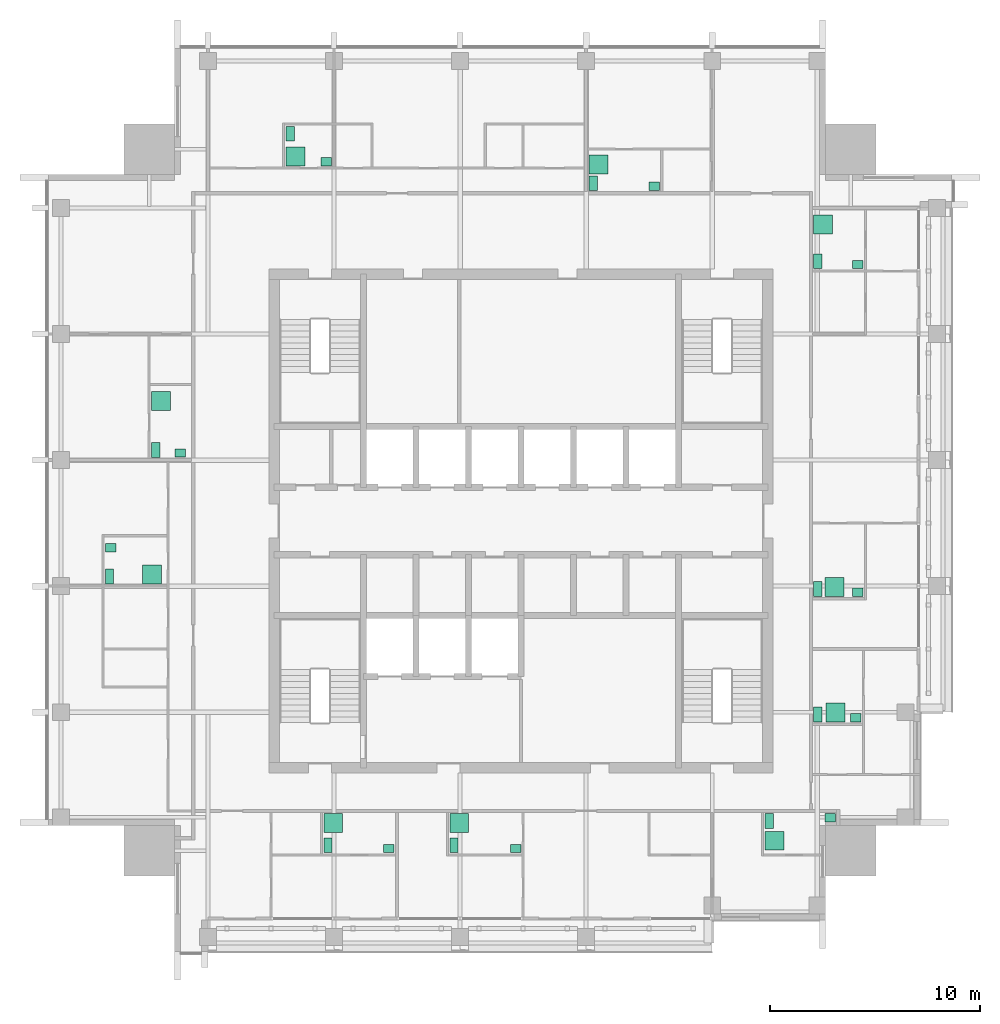
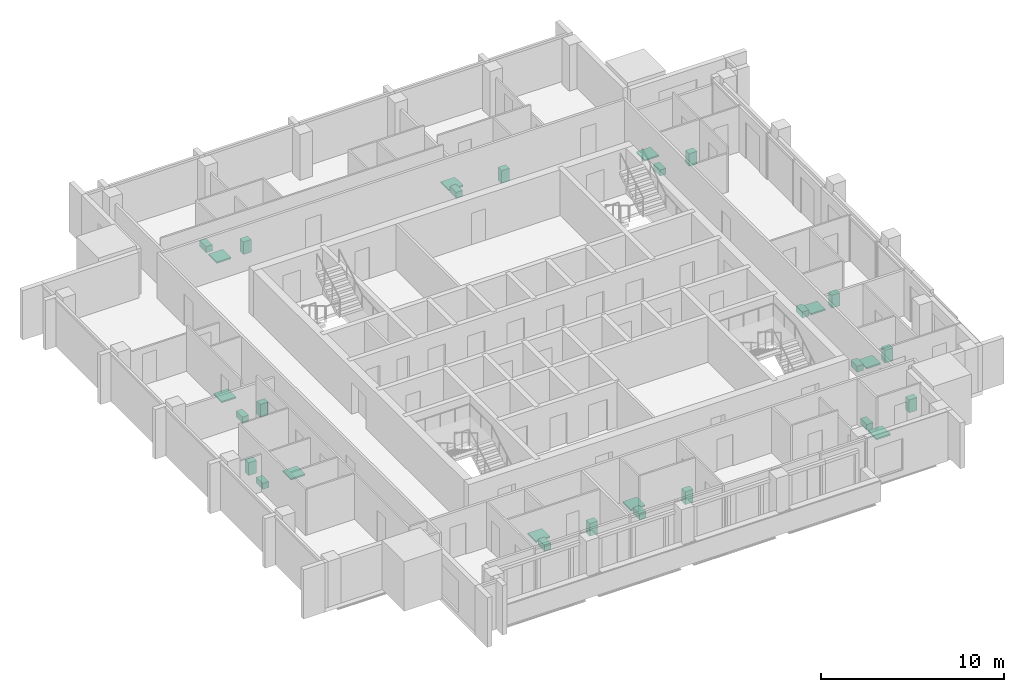
# One storey, part 15 of 15: 30 sanitary terminals.
"""IFC4 building model written with IfcOpenShell, lengths in metres."""

from ifc_helpers import new_model, si_unit, direction, frame, origin, origin_2d, place, context, subcontext, project, spatial, rectangle, extrude, element, save


model = new_model("IFC4")

# Units and contexts
model_context = context("Model", 3, precision=1e-05, world=origin(), true_north=direction((0.0, 1.0)))
body_context = subcontext(model_context, "Body", "Model", "MODEL_VIEW")
ifc_project = project(units=[si_unit("LENGTHUNIT", "METRE"), si_unit("AREAUNIT", "SQUARE_METRE"), si_unit("VOLUMEUNIT", "CUBIC_METRE"), si_unit("PLANEANGLEUNIT", "RADIAN"), si_unit("MASSUNIT", "GRAM", prefix="KILO")], contexts=[model_context])

# Site, building, storey
site_placement = place(None, origin())
site = spatial("IfcSite", under=ifc_project, at=site_placement, CompositionType="ELEMENT")
building_placement = place(site_placement, origin())
building = spatial("IfcBuilding", under=site, at=building_placement, Name="Amberfall Residences", CompositionType="ELEMENT")
storey_placement = place(building_placement, frame((0.0, 0.0, 268.60009765625)))
storey = spatial("IfcBuildingStorey", under=building, at=storey_placement, Name="L72", CompositionType="ELEMENT", Elevation=268.60009765625)

# Sanitary terminals
sanitary_terminal_1_placement = place(storey_placement, frame((65.31005859375, 30.06005859375, 0.0), z_axis=(0.0, 0.0, 1.0), x_axis=(1.0, 0.0, 0.0)))
element("IfcSanitaryTerminal", 1, at=sanitary_terminal_1_placement, inside=storey, Name="Water closet 7201", PredefinedType="TOILETPAN", context=body_context, shape_type="SweptSolid", body=[
    extrude(rectangle(XDim=0.39990234375, YDim=0.699951171875, at=origin_2d()), origin(), (0.0, 0.0, 1.0), 0.39990234375),
])
sanitary_terminal_2_placement = place(storey_placement, frame((68.215087890625, 29.909912109375, -0.000244140625), z_axis=(0.0, 0.0, 1.0), x_axis=(1.0, 0.0, 0.0)))
element("IfcSanitaryTerminal", 2, at=sanitary_terminal_2_placement, inside=storey, Name="Basin 7201", PredefinedType="WASHHANDBASIN", context=body_context, shape_type="SweptSolid", body=[
    extrude(rectangle(XDim=0.5, YDim=0.39990234375, at=origin_2d()), origin(), (0.0, 0.0, 1.0), 0.85009765625),
])
sanitary_terminal_3_placement = place(storey_placement, frame((65.56005859375, 31.114990234375, -0.000244140625), z_axis=(0.0, 0.0, 1.0), x_axis=(1.0, 0.0, 0.0)))
element("IfcSanitaryTerminal", 3, at=sanitary_terminal_3_placement, inside=storey, Name="Shower tray 7201", PredefinedType="SHOWER", context=body_context, shape_type="SweptSolid", body=[
    extrude(rectangle(XDim=0.89990234375, YDim=0.89990234375, at=origin_2d()), origin(), (0.0, 0.0, 1.0), 0.10009765625),
])
sanitary_terminal_4_placement = place(storey_placement, frame((71.31005859375, 30.06005859375, 0.0), z_axis=(0.0, 0.0, 1.0), x_axis=(1.0, 0.0, 0.0)))
element("IfcSanitaryTerminal", 4, at=sanitary_terminal_4_placement, inside=storey, Name="Water closet 7202", PredefinedType="TOILETPAN", context=body_context, shape_type="SweptSolid", body=[
    extrude(rectangle(XDim=0.39990234375, YDim=0.699951171875, at=origin_2d()), origin(), (0.0, 0.0, 1.0), 0.39990234375),
])
sanitary_terminal_5_placement = place(storey_placement, frame((74.239990234375, 29.909912109375, -0.000244140625), z_axis=(0.0, 0.0, 1.0), x_axis=(1.0, 0.0, 0.0)))
element("IfcSanitaryTerminal", 5, at=sanitary_terminal_5_placement, inside=storey, Name="Basin 7202", PredefinedType="WASHHANDBASIN", context=body_context, shape_type="SweptSolid", body=[
    extrude(rectangle(XDim=0.5, YDim=0.39990234375, at=origin_2d()), origin(), (0.0, 0.0, 1.0), 0.85009765625),
])
sanitary_terminal_6_placement = place(storey_placement, frame((71.56005859375, 31.114990234375, -0.000244140625), z_axis=(0.0, 0.0, 1.0), x_axis=(1.0, 0.0, 0.0)))
element("IfcSanitaryTerminal", 6, at=sanitary_terminal_6_placement, inside=storey, Name="Shower tray 7202", PredefinedType="SHOWER", context=body_context, shape_type="SweptSolid", body=[
    extrude(rectangle(XDim=0.89990234375, YDim=0.89990234375, at=origin_2d()), origin(), (0.0, 0.0, 1.0), 0.10009765625),
])
sanitary_terminal_7_placement = place(storey_placement, frame((86.31005859375, 31.215087890625, 0.0), z_axis=(0.0, 0.0, 1.0), x_axis=(1.0, 0.0, 0.0)))
element("IfcSanitaryTerminal", 7, at=sanitary_terminal_7_placement, inside=storey, Name="Water closet 7202", PredefinedType="TOILETPAN", context=body_context, shape_type="SweptSolid", body=[
    extrude(rectangle(XDim=0.39990234375, YDim=0.699951171875, at=origin_2d()), origin(), (0.0, 0.0, 1.0), 0.39990234375),
])
sanitary_terminal_8_placement = place(storey_placement, frame((89.215087890625, 31.364990234375, -0.000244140625), z_axis=(0.0, 0.0, 1.0), x_axis=(1.0, 0.0, 0.0)))
element("IfcSanitaryTerminal", 8, at=sanitary_terminal_8_placement, inside=storey, Name="Basin 7202", PredefinedType="WASHHANDBASIN", context=body_context, shape_type="SweptSolid", body=[
    extrude(rectangle(XDim=0.5, YDim=0.39990234375, at=origin_2d()), origin(), (0.0, 0.0, 1.0), 0.85009765625),
])
sanitary_terminal_9_placement = place(storey_placement, frame((86.56005859375, 30.277587890625, -0.000244140625), z_axis=(0.0, 0.0, 1.0), x_axis=(1.0, 0.0, 0.0)))
element("IfcSanitaryTerminal", 9, at=sanitary_terminal_9_placement, inside=storey, Name="Shower tray 7202", PredefinedType="SHOWER", context=body_context, shape_type="SweptSolid", body=[
    extrude(rectangle(XDim=0.89990234375, YDim=0.89990234375, at=origin_2d()), origin(), (0.0, 0.0, 1.0), 0.10009765625),
])
sanitary_terminal_10_placement = place(storey_placement, frame((88.635009765625, 36.284912109375, 0.0), z_axis=(0.0, 0.0, 1.0), x_axis=(1.0, 0.0, 0.0)))
element("IfcSanitaryTerminal", 10, at=sanitary_terminal_10_placement, inside=storey, Name="Water closet 7203", PredefinedType="TOILETPAN", context=body_context, shape_type="SweptSolid", body=[
    extrude(rectangle(XDim=0.39990234375, YDim=0.699951171875, at=origin_2d()), origin(), (0.0, 0.0, 1.0), 0.39990234375),
])
sanitary_terminal_11_placement = place(storey_placement, frame((90.43994140625, 36.135009765625, -0.000244140625), z_axis=(0.0, 0.0, 1.0), x_axis=(1.0, 0.0, 0.0)))
element("IfcSanitaryTerminal", 11, at=sanitary_terminal_11_placement, inside=storey, Name="Basin 7203", PredefinedType="WASHHANDBASIN", context=body_context, shape_type="SweptSolid", body=[
    extrude(rectangle(XDim=0.5, YDim=0.39990234375, at=origin_2d()), origin(), (0.0, 0.0, 1.0), 0.85009765625),
])
sanitary_terminal_12_placement = place(storey_placement, frame((89.4658203125, 36.385009765625, -0.000244140625), z_axis=(0.0, 0.0, 1.0), x_axis=(1.0, 0.0, 0.0)))
element("IfcSanitaryTerminal", 12, at=sanitary_terminal_12_placement, inside=storey, Name="Shower tray 7203", PredefinedType="SHOWER", context=body_context, shape_type="SweptSolid", body=[
    extrude(rectangle(XDim=0.89990234375, YDim=0.89990234375, at=origin_2d()), origin(), (0.0, 0.0, 1.0), 0.10009765625),
])
sanitary_terminal_13_placement = place(storey_placement, frame((88.635009765625, 42.260009765625, 0.0), z_axis=(0.0, 0.0, 1.0), x_axis=(1.0, 0.0, 0.0)))
element("IfcSanitaryTerminal", 13, at=sanitary_terminal_13_placement, inside=storey, Name="Water closet 7204", PredefinedType="TOILETPAN", context=body_context, shape_type="SweptSolid", body=[
    extrude(rectangle(XDim=0.39990234375, YDim=0.699951171875, at=origin_2d()), origin(), (0.0, 0.0, 1.0), 0.39990234375),
])
sanitary_terminal_14_placement = place(storey_placement, frame((90.5400390625, 42.110107421875, -0.000244140625), z_axis=(0.0, 0.0, 1.0), x_axis=(1.0, 0.0, 0.0)))
element("IfcSanitaryTerminal", 14, at=sanitary_terminal_14_placement, inside=storey, Name="Basin 7204", PredefinedType="WASHHANDBASIN", context=body_context, shape_type="SweptSolid", body=[
    extrude(rectangle(XDim=0.5, YDim=0.39990234375, at=origin_2d()), origin(), (0.0, 0.0, 1.0), 0.85009765625),
])
sanitary_terminal_15_placement = place(storey_placement, frame((89.4306640625, 42.360107421875, -0.000244140625), z_axis=(0.0, 0.0, 1.0), x_axis=(1.0, 0.0, 0.0)))
element("IfcSanitaryTerminal", 15, at=sanitary_terminal_15_placement, inside=storey, Name="Shower tray 7204", PredefinedType="SHOWER", context=body_context, shape_type="SweptSolid", body=[
    extrude(rectangle(XDim=0.89990234375, YDim=0.89990234375, at=origin_2d()), origin(), (0.0, 0.0, 1.0), 0.10009765625),
])
sanitary_terminal_16_placement = place(storey_placement, frame((88.635009765625, 57.860107421875, 0.0), z_axis=(0.0, 0.0, 1.0), x_axis=(1.0, 0.0, 0.0)))
element("IfcSanitaryTerminal", 16, at=sanitary_terminal_16_placement, inside=storey, Name="Water closet 7204", PredefinedType="TOILETPAN", context=body_context, shape_type="SweptSolid", body=[
    extrude(rectangle(XDim=0.39990234375, YDim=0.699951171875, at=origin_2d()), origin(), (0.0, 0.0, 1.0), 0.39990234375),
])
sanitary_terminal_17_placement = place(storey_placement, frame((90.5400390625, 57.7099609375, -0.000244140625), z_axis=(0.0, 0.0, 1.0), x_axis=(1.0, 0.0, 0.0)))
element("IfcSanitaryTerminal", 17, at=sanitary_terminal_17_placement, inside=storey, Name="Basin 7204", PredefinedType="WASHHANDBASIN", context=body_context, shape_type="SweptSolid", body=[
    extrude(rectangle(XDim=0.5, YDim=0.39990234375, at=origin_2d()), origin(), (0.0, 0.0, 1.0), 0.85009765625),
])
sanitary_terminal_18_placement = place(storey_placement, frame((88.885009765625, 59.60888671875, -0.000244140625), z_axis=(0.0, 0.0, 1.0), x_axis=(1.0, 0.0, 0.0)))
element("IfcSanitaryTerminal", 18, at=sanitary_terminal_18_placement, inside=storey, Name="Shower tray 7204", PredefinedType="SHOWER", context=body_context, shape_type="SweptSolid", body=[
    extrude(rectangle(XDim=0.89990234375, YDim=0.89990234375, at=origin_2d()), origin(), (0.0, 0.0, 1.0), 0.10009765625),
])
sanitary_terminal_19_placement = place(storey_placement, frame((63.510009765625, 63.93994140625, 0.0), z_axis=(0.0, 0.0, 1.0), x_axis=(1.0, 0.0, 0.0)))
element("IfcSanitaryTerminal", 19, at=sanitary_terminal_19_placement, inside=storey, Name="Water closet 7205", PredefinedType="TOILETPAN", context=body_context, shape_type="SweptSolid", body=[
    extrude(rectangle(XDim=0.39990234375, YDim=0.699951171875, at=origin_2d()), origin(), (0.0, 0.0, 1.0), 0.39990234375),
])
sanitary_terminal_20_placement = place(storey_placement, frame((65.239990234375, 62.610107421875, -0.000244140625), z_axis=(0.0, 0.0, 1.0), x_axis=(1.0, 0.0, 0.0)))
element("IfcSanitaryTerminal", 20, at=sanitary_terminal_20_placement, inside=storey, Name="Basin 7205", PredefinedType="WASHHANDBASIN", context=body_context, shape_type="SweptSolid", body=[
    extrude(rectangle(XDim=0.5, YDim=0.39990234375, at=origin_2d()), origin(), (0.0, 0.0, 1.0), 0.85009765625),
])
sanitary_terminal_21_placement = place(storey_placement, frame((63.760009765625, 62.860107421875, -0.000244140625), z_axis=(0.0, 0.0, 1.0), x_axis=(1.0, 0.0, 0.0)))
element("IfcSanitaryTerminal", 21, at=sanitary_terminal_21_placement, inside=storey, Name="Shower tray 7205", PredefinedType="SHOWER", context=body_context, shape_type="SweptSolid", body=[
    extrude(rectangle(XDim=0.89990234375, YDim=0.89990234375, at=origin_2d()), origin(), (0.0, 0.0, 1.0), 0.10009765625),
])
sanitary_terminal_22_placement = place(storey_placement, frame((77.93505859375, 61.5849609375, 0.0), z_axis=(0.0, 0.0, 1.0), x_axis=(1.0, 0.0, 0.0)))
element("IfcSanitaryTerminal", 22, at=sanitary_terminal_22_placement, inside=storey, Name="Water closet 7206", PredefinedType="TOILETPAN", context=body_context, shape_type="SweptSolid", body=[
    extrude(rectangle(XDim=0.39990234375, YDim=0.699951171875, at=origin_2d()), origin(), (0.0, 0.0, 1.0), 0.39990234375),
])
sanitary_terminal_23_placement = place(storey_placement, frame((80.840087890625, 61.43505859375, -0.000244140625), z_axis=(0.0, 0.0, 1.0), x_axis=(1.0, 0.0, 0.0)))
element("IfcSanitaryTerminal", 23, at=sanitary_terminal_23_placement, inside=storey, Name="Basin 7206", PredefinedType="WASHHANDBASIN", context=body_context, shape_type="SweptSolid", body=[
    extrude(rectangle(XDim=0.5, YDim=0.39990234375, at=origin_2d()), origin(), (0.0, 0.0, 1.0), 0.85009765625),
])
sanitary_terminal_24_placement = place(storey_placement, frame((78.18505859375, 62.480712890625, -0.000244140625), z_axis=(0.0, 0.0, 1.0), x_axis=(1.0, 0.0, 0.0)))
element("IfcSanitaryTerminal", 24, at=sanitary_terminal_24_placement, inside=storey, Name="Shower tray 7206", PredefinedType="SHOWER", context=body_context, shape_type="SweptSolid", body=[
    extrude(rectangle(XDim=0.89990234375, YDim=0.89990234375, at=origin_2d()), origin(), (0.0, 0.0, 1.0), 0.10009765625),
])
sanitary_terminal_25_placement = place(storey_placement, frame((54.909912109375, 42.860107421875, 0.0), z_axis=(0.0, 0.0, 1.0), x_axis=(1.0, 0.0, 0.0)))
element("IfcSanitaryTerminal", 25, at=sanitary_terminal_25_placement, inside=storey, Name="Water closet 7207", PredefinedType="TOILETPAN", context=body_context, shape_type="SweptSolid", body=[
    extrude(rectangle(XDim=0.39990234375, YDim=0.699951171875, at=origin_2d()), origin(), (0.0, 0.0, 1.0), 0.39990234375),
])
sanitary_terminal_26_placement = place(storey_placement, frame((54.9599609375, 44.235595703125, -0.000244140625), z_axis=(0.0, 0.0, 1.0), x_axis=(1.0, 0.0, 0.0)))
element("IfcSanitaryTerminal", 26, at=sanitary_terminal_26_placement, inside=storey, Name="Basin 7207", PredefinedType="WASHHANDBASIN", context=body_context, shape_type="SweptSolid", body=[
    extrude(rectangle(XDim=0.5, YDim=0.39990234375, at=origin_2d()), origin(), (0.0, 0.0, 1.0), 0.85009765625),
])
sanitary_terminal_27_placement = place(storey_placement, frame((56.94189453125, 42.9599609375, -0.000244140625), z_axis=(0.0, 0.0, 1.0), x_axis=(1.0, 0.0, 0.0)))
element("IfcSanitaryTerminal", 27, at=sanitary_terminal_27_placement, inside=storey, Name="Shower tray 7207", PredefinedType="SHOWER", context=body_context, shape_type="SweptSolid", body=[
    extrude(rectangle(XDim=0.89990234375, YDim=0.89990234375, at=origin_2d()), origin(), (0.0, 0.0, 1.0), 0.10009765625),
])
sanitary_terminal_28_placement = place(storey_placement, frame((57.110107421875, 48.885009765625, 0.0), z_axis=(0.0, 0.0, 1.0), x_axis=(1.0, 0.0, 0.0)))
element("IfcSanitaryTerminal", 28, at=sanitary_terminal_28_placement, inside=storey, Name="Water closet 7208", PredefinedType="TOILETPAN", context=body_context, shape_type="SweptSolid", body=[
    extrude(rectangle(XDim=0.39990234375, YDim=0.699951171875, at=origin_2d()), origin(), (0.0, 0.0, 1.0), 0.39990234375),
])
sanitary_terminal_29_placement = place(storey_placement, frame((58.2890625, 48.735107421875, -0.000244140625), z_axis=(0.0, 0.0, 1.0), x_axis=(1.0, 0.0, 0.0)))
element("IfcSanitaryTerminal", 29, at=sanitary_terminal_29_placement, inside=storey, Name="Basin 7208", PredefinedType="WASHHANDBASIN", context=body_context, shape_type="SweptSolid", body=[
    extrude(rectangle(XDim=0.5, YDim=0.39990234375, at=origin_2d()), origin(), (0.0, 0.0, 1.0), 0.85009765625),
])
sanitary_terminal_30_placement = place(storey_placement, frame((57.360107421875, 51.216796875, -0.000244140625), z_axis=(0.0, 0.0, 1.0), x_axis=(1.0, 0.0, 0.0)))
element("IfcSanitaryTerminal", 30, at=sanitary_terminal_30_placement, inside=storey, Name="Shower tray 7208", PredefinedType="SHOWER", context=body_context, shape_type="SweptSolid", body=[
    extrude(rectangle(XDim=0.89990234375, YDim=0.89990234375, at=origin_2d()), origin(), (0.0, 0.0, 1.0), 0.10009765625),
])

save(model, "model.ifc")
